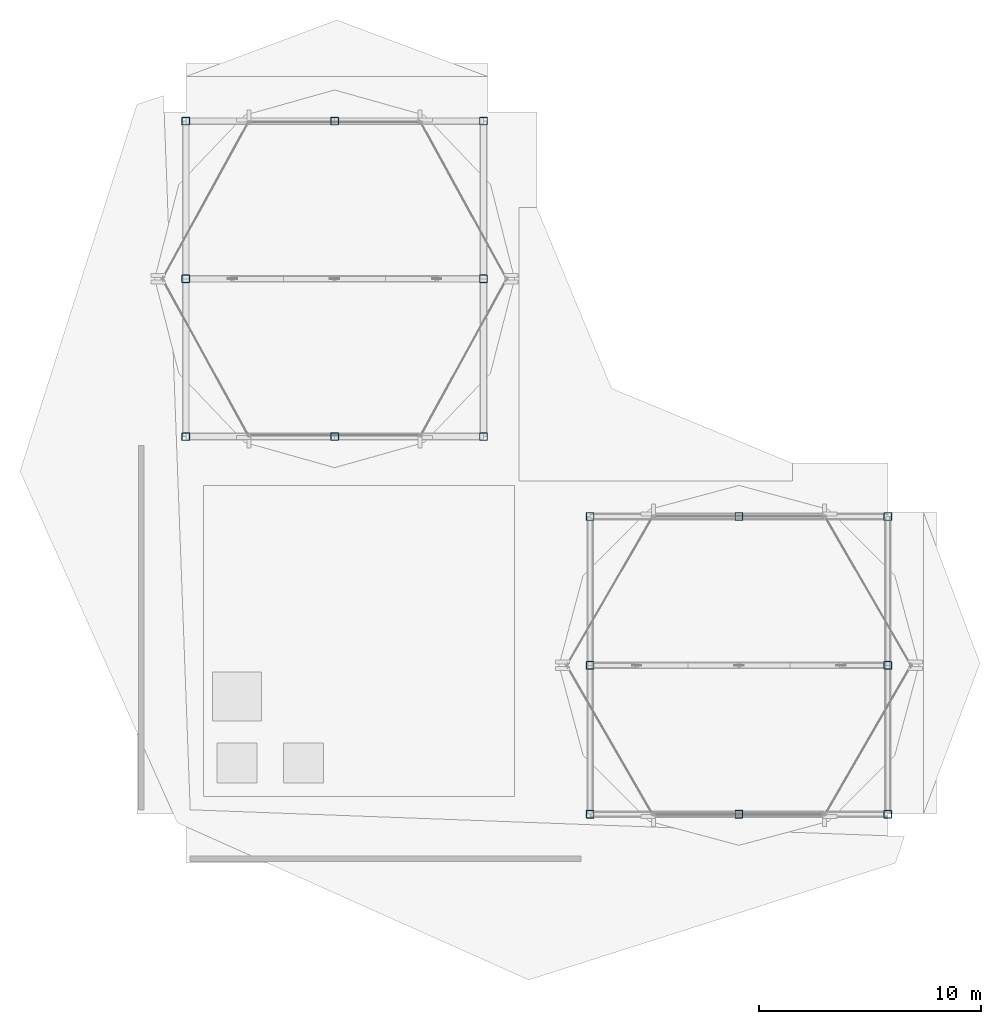
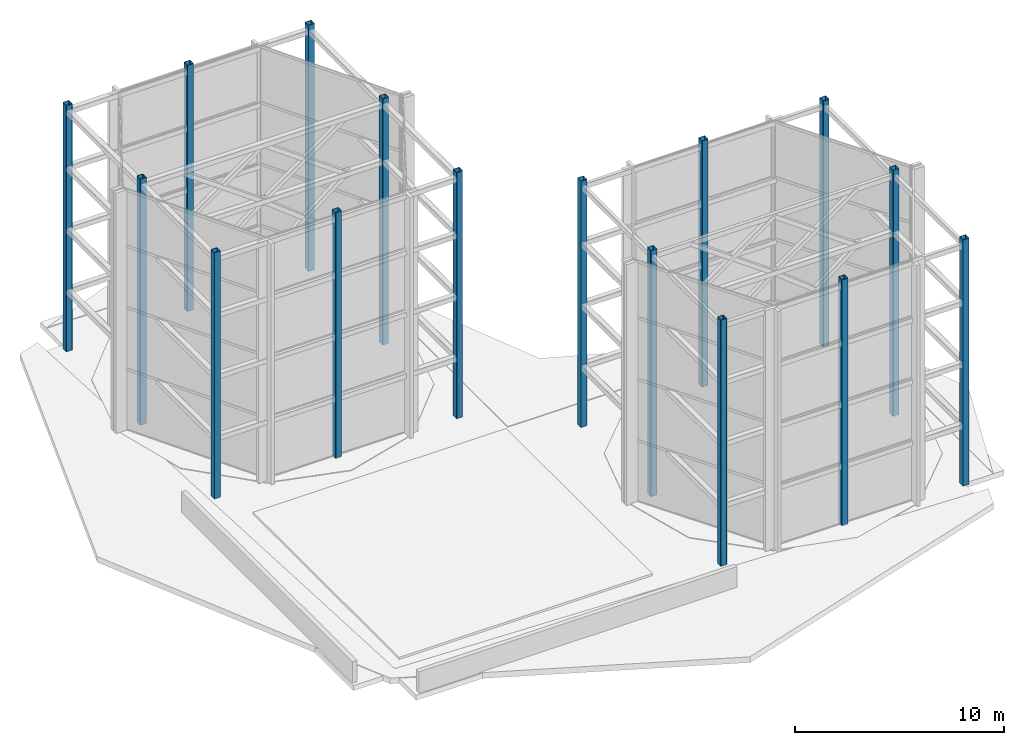
# One storey, part 1 of 24: 16 columns.
"""IFC4 building model written with IfcOpenShell, lengths in metres."""

import ifcopenshell
import ifcopenshell.guid

model = None  # the IFC model being written
_history = None  # IfcOwnerHistory: only IFC2X3 demands one
_inside = {}  # id of a spatial element -> (the spatial element, [elements in it])
_under = {}  # id of a project, library or spatial element -> (it, [spatial elements below it])
_declared = {}  # id of a project -> (the project, [libraries it declares])
_typed = {}  # id of a type object -> (the type object, [elements of that type])
_made_of = {}  # id of a material, layer set ... -> (it, [elements and type objects made of it])


def new_model(schema):
    """Start an empty IFC model of exactly this schema.

    Asked for "IFC4X3", IfcOpenShell would pick the latest addendum, in which some entities
    have other attributes; the version numbers below select the first issue.
    IFC2X3 requires an IfcOwnerHistory on every rooted entity: one is made here for all.
    """
    global model, _history
    if schema == "IFC4X3":
        model = ifcopenshell.file(schema_version=(4, 3, 0, 0))
    else:
        model = ifcopenshell.file(schema=schema)
    _inside.clear()
    _under.clear()
    _declared.clear()
    _typed.clear()
    _made_of.clear()
    _history = None
    if model.schema == "IFC2X3":
        org = make("IfcOrganization", Name="unknown")
        user = make(
            "IfcPersonAndOrganization",
            ThePerson=make("IfcPerson", FamilyName="unknown"),
            TheOrganization=org,
        )
        app = make(
            "IfcApplication",
            ApplicationDeveloper=org,
            Version="unknown",
            ApplicationFullName="unknown",
            ApplicationIdentifier="unknown",
        )
        _history = make(
            "IfcOwnerHistory",
            OwningUser=user,
            OwningApplication=app,
            ChangeAction="ADDED",
            CreationDate=0,
        )
    return model


def make(cls, **values):
    """One entity of the class cls with the attributes given. An attribute that is None is left unset."""
    return model.create_entity(
        cls, **{name: value for name, value in values.items() if value is not None}
    )


def rooted(cls, **values):
    """An entity with a GlobalId (a new one), such as an element, a storey or a relation."""
    return make(cls, GlobalId=ifcopenshell.guid.new(), OwnerHistory=_history, **values)


def si_unit(unit_type, name, prefix=None):
    """IfcSIUnit, for example si_unit("LENGTHUNIT", "METRE", prefix="MILLI")."""
    return make("IfcSIUnit", UnitType=unit_type, Prefix=prefix, Name=name)


def assignment(units):
    """IfcUnitAssignment: the units of a project."""
    return None if units is None else make("IfcUnitAssignment", Units=units)


def point(xyz):
    """IfcCartesianPoint."""
    return None if xyz is None else make("IfcCartesianPoint", Coordinates=xyz)


def direction(xyz):
    """IfcDirection."""
    return None if xyz is None else make("IfcDirection", DirectionRatios=xyz)


def frame(location, z_axis=None, x_axis=None):
    """IfcAxis2Placement3D, a coordinate frame: its origin and axes. An axis left out is left unset."""
    return make(
        "IfcAxis2Placement3D",
        Location=point(location),
        Axis=direction(z_axis),
        RefDirection=direction(x_axis),
    )


def frame_2d(location, x_axis=None):
    """IfcAxis2Placement2D, a coordinate frame in the plane: its origin and x axis."""
    return make(
        "IfcAxis2Placement2D", Location=point(location), RefDirection=direction(x_axis)
    )


def origin():
    """The frame at (0, 0, 0) with its axes left unset."""
    return frame((0.0, 0.0, 0.0))


def origin_2d():
    """The frame at (0, 0) in the plane with its x axis left unset."""
    return frame_2d((0.0, 0.0))


def place(relative_to, where):
    """IfcLocalPlacement: puts the frame where relative to a parent placement (None: the world)."""
    return make(
        "IfcLocalPlacement", PlacementRelTo=relative_to, RelativePlacement=where
    )


def context(
    kind, dimensions, precision=None, world=None, true_north=None, identifier=None
):
    """IfcGeometricRepresentationContext, for example the 3D "Model" context."""
    return make(
        "IfcGeometricRepresentationContext",
        ContextIdentifier=identifier,
        ContextType=kind,
        CoordinateSpaceDimension=dimensions,
        Precision=precision,
        WorldCoordinateSystem=world,
        TrueNorth=true_north,
    )


def subcontext(parent, identifier, kind, view, scale=None):
    """IfcGeometricRepresentationSubContext, for example "Body" below "Model"."""
    return make(
        "IfcGeometricRepresentationSubContext",
        ContextIdentifier=identifier,
        ContextType=kind,
        ParentContext=parent,
        TargetScale=scale,
        TargetView=view,
    )


def project(units=None, contexts=None):
    """IfcProject with its units and contexts."""
    return rooted(
        "IfcProject",
        Name="project",
        RepresentationContexts=contexts,
        UnitsInContext=assignment(units),
    )


def spatial(cls, under=None, at=None, **own):
    """A site, building, storey or space (cls), placed at a placement, below another one or the project."""
    s = rooted(cls, ObjectPlacement=at, **own)
    if under is not None:
        _under.setdefault(under.id(), (under, []))[1].append(s)
    return s


def profile(cls, at=None, kind="AREA", **sizes):
    """A parametric profile (cls). Its sizes go by their IFC names, for example OverallWidth=200.0."""
    return make(cls, ProfileType=kind, Position=at, **sizes)


def hollow_rectangle(**sizes):
    """IfcRectangleHollowProfileDef."""
    return profile("IfcRectangleHollowProfileDef", **sizes)


def extrude(swept, where, along, depth):
    """IfcExtrudedAreaSolid: the profile swept, set in the frame where, extruded along a direction by depth."""
    return make(
        "IfcExtrudedAreaSolid",
        SweptArea=swept,
        Position=where,
        ExtrudedDirection=direction(along),
        Depth=depth,
    )


def shape(context_of_items, identifier, shape_type, items):
    """IfcShapeRepresentation: the items that make up one representation, for example the "Body"."""
    return make(
        "IfcShapeRepresentation",
        ContextOfItems=context_of_items,
        RepresentationIdentifier=identifier,
        RepresentationType=shape_type,
        Items=items,
    )


def material(Name=None, Category=None):
    """IfcMaterial."""
    return make("IfcMaterial", Name=Name, Category=Category)


def material_profile(
    of_material, cross_section, Name=None, Category=None, Priority=None
):
    """IfcMaterialProfile: a cross section and its material."""
    return make(
        "IfcMaterialProfile",
        Name=Name,
        Material=of_material,
        Profile=cross_section,
        Priority=Priority,
        Category=Category,
    )


def profile_set(profiles, Name=None, composite=None):
    """IfcMaterialProfileSet."""
    return make(
        "IfcMaterialProfileSet",
        Name=Name,
        MaterialProfiles=profiles,
        CompositeProfile=composite,
    )


def made_of(thing, what):
    """Note that an element or type object is made of a material, layer set ...; save() writes the relation."""
    if what is not None:
        _made_of.setdefault(what.id(), (what, []))[1].append(thing)
    return thing


def type_object(cls, material=None, **own):
    """A type object (cls), such as IfcWallType, which elements share."""
    return made_of(rooted(cls, **own), material)


def element(
    cls,
    number,
    at=None,
    inside=None,
    cuts=None,
    type_object=None,
    material=None,
    context=None,
    identifier="Body",
    shape_type=None,
    held_by="IfcProductDefinitionShape",
    body=None,
    shapes=None,
    **own,
):
    """One element of the class cls, such as IfcWall. Its Tag is "e" and its number.

    at: its placement. inside: the storey or other place that contains it. cuts: it is an
    opening in that element (IfcRelVoidsElement). A single representation is given by context,
    identifier, shape_type and body (its items); several are given by shapes. held_by: the class
    of the entity that holds the representations. save() writes the other relations.
    """
    e = rooted(cls, Tag="e%d" % number, ObjectPlacement=at, **own)
    if body is not None:
        shapes = [shape(context, identifier, shape_type, body)]
    if shapes is not None:
        e.Representation = make(held_by, Representations=shapes)
    if inside is not None:
        _inside.setdefault(inside.id(), (inside, []))[1].append(e)
    if cuts is not None:
        rooted(
            "IfcRelVoidsElement", RelatingBuildingElement=cuts, RelatedOpeningElement=e
        )
    if type_object is not None:
        _typed.setdefault(type_object.id(), (type_object, []))[1].append(e)
    return made_of(e, material)


def aggregate(whole, parts):
    """IfcRelAggregates: a whole, such as a stair, and the parts it consists of."""
    return rooted("IfcRelAggregates", RelatingObject=whole, RelatedObjects=parts)


def save(model, path):
    """Write the relations noted so far, then the file.

    IfcRelAggregates (storeys below a building ...), IfcRelContainedInSpatialStructure (elements
    in a storey), IfcRelDefinesByType, IfcRelAssociatesMaterial and IfcRelDeclares: one each for
    every whole, place, type object, material and project.
    """
    for whole, parts in _under.values():
        aggregate(whole, parts)
    for where, things in _inside.values():
        rooted(
            "IfcRelContainedInSpatialStructure",
            RelatedElements=things,
            RelatingStructure=where,
        )
    for kind, things in _typed.values():
        rooted("IfcRelDefinesByType", RelatedObjects=things, RelatingType=kind)
    for what, things in _made_of.values():
        rooted("IfcRelAssociatesMaterial", RelatedObjects=things, RelatingMaterial=what)
    for by, libraries in _declared.values():
        rooted("IfcRelDeclares", RelatingContext=by, RelatedDefinitions=libraries)
    model.write(path)


model = new_model("IFC4")

# Units and contexts
model_context = context("Model", 3, precision=1e-05, world=origin(), true_north=direction((0.0, 1.0)))
body_context = subcontext(model_context, "Body", "Model", "MODEL_VIEW")
ifc_project = project(units=[si_unit("LENGTHUNIT", "METRE"), si_unit("AREAUNIT", "SQUARE_METRE"), si_unit("VOLUMEUNIT", "CUBIC_METRE"), si_unit("PLANEANGLEUNIT", "RADIAN"), si_unit("MASSUNIT", "GRAM", prefix="KILO")], contexts=[model_context])

# Site, building, storey
site_placement = place(None, origin())
site = spatial("IfcSite", under=ifc_project, at=site_placement, CompositionType="ELEMENT")
building_placement = place(site_placement, origin())
building = spatial("IfcBuilding", under=site, at=building_placement, Name="Solvaryn Broadcast Tower", CompositionType="ELEMENT")
storey_placement = place(building_placement, frame((0.0, 0.0, 307.800048828125)))
storey = spatial("IfcBuildingStorey", under=building, at=storey_placement, Name="Roof Main", CompositionType="ELEMENT", Elevation=307.800048828125)

# Columns
ifc_material = material(Name="Steel ASTM A500 Grade C", Category="steel")
ifc_material_profile = material_profile(ifc_material, hollow_rectangle(XDim=0.35009765625, YDim=0.35009765625, WallThickness=0.01611328125, InnerFilletRadius=0.01611328125, OuterFilletRadius=0.031982421875, at=origin_2d()))
ifc_profile_set = profile_set([ifc_material_profile], Name="Steel ASTM A500 Grade C")
column_type = type_object("IfcColumnType", Name="COL-CROWN-FRAME", PredefinedType="COLUMN", material=ifc_profile_set)
for number, where, z_axis, x_axis, name in (
    (1, (11.199951171875, 28.199951171875, 0.0), (0.0, 0.0, 1.0), (1.0, 0.0, 0.0), "Roof Main CROWN FRAME Column (11.2, 28.2)"),
    (2, (17.89990234375, 28.199951171875, 0.0), (0.0, 0.0, 1.0), (1.0, 0.0, 0.0), "Roof Main CROWN FRAME Column (17.9, 28.2)"),
    (3, (24.60009765625, 28.199951171875, 0.0), (0.0, 0.0, 1.0), (1.0, 0.0, 0.0), "Roof Main CROWN FRAME Column (24.6, 28.2)"),
    (4, (24.60009765625, 35.300048828125, 0.0), (0.0, 0.0, 1.0), (1.0, 0.0, 0.0), "Roof Main CROWN FRAME Column (24.6, 35.3)"),
    (5, (24.60009765625, 42.39990234375, 0.0), (0.0, 0.0, 1.0), (1.0, 0.0, 0.0), "Roof Main CROWN FRAME Column (24.6, 42.4)"),
    (6, (17.89990234375, 42.39990234375, 0.0), (0.0, 0.0, 1.0), (1.0, 0.0, 0.0), "Roof Main CROWN FRAME Column (17.9, 42.4)"),
    (7, (11.199951171875, 42.39990234375, 0.0), (0.0, 0.0, 1.0), (1.0, 0.0, 0.0), "Roof Main CROWN FRAME Column (11.2, 42.4)"),
    (8, (11.199951171875, 35.300048828125, 0.0), (0.0, 0.0, 1.0), (1.0, 0.0, 0.0), "Roof Main CROWN FRAME Column (11.2, 35.3)"),
    (9, (29.39990234375, 11.199951171875, 0.0), (0.0, 0.0, 1.0), (1.0, 0.0, 0.0), "Roof Main CROWN FRAME Column (29.4, 11.2)"),
    (10, (36.10009765625, 11.199951171875, 0.0), (0.0, 0.0, 1.0), (1.0, 0.0, 0.0), "Roof Main CROWN FRAME Column (36.1, 11.2)"),
    (11, (42.800048828125, 11.199951171875, 0.0), (0.0, 0.0, 1.0), (1.0, 0.0, 0.0), "Roof Main CROWN FRAME Column (42.8, 11.2)"),
    (12, (42.800048828125, 17.89990234375, 0.0), (0.0, 0.0, 1.0), (1.0, 0.0, 0.0), "Roof Main CROWN FRAME Column (42.8, 17.9)"),
    (13, (42.800048828125, 24.60009765625, 0.0), (0.0, 0.0, 1.0), (1.0, 0.0, 0.0), "Roof Main CROWN FRAME Column (42.8, 24.6)"),
    (14, (36.10009765625, 24.60009765625, 0.0), (0.0, 0.0, 1.0), (1.0, 0.0, 0.0), "Roof Main CROWN FRAME Column (36.1, 24.6)"),
    (15, (29.39990234375, 24.60009765625, 0.0), (0.0, 0.0, 1.0), (1.0, 0.0, 0.0), "Roof Main CROWN FRAME Column (29.4, 24.6)"),
    (16, (29.39990234375, 17.89990234375, 0.0), (0.0, 0.0, 1.0), (1.0, 0.0, 0.0), "Roof Main CROWN FRAME Column (29.4, 17.9)"),
):
    element("IfcColumn", number, at=place(storey_placement, frame(where, z_axis=z_axis, x_axis=x_axis)), inside=storey, type_object=column_type, Name=name, PredefinedType="COLUMN", context=body_context, shape_type="SweptSolid", body=[
        extrude(hollow_rectangle(XDim=0.35009765625, YDim=0.35009765625, WallThickness=0.01611328125, InnerFilletRadius=0.01611328125, OuterFilletRadius=0.031982421875, at=origin_2d()), origin(), (0.0, 0.0, 1.0), 14.39990234375),
    ])

save(model, "model.ifc")
